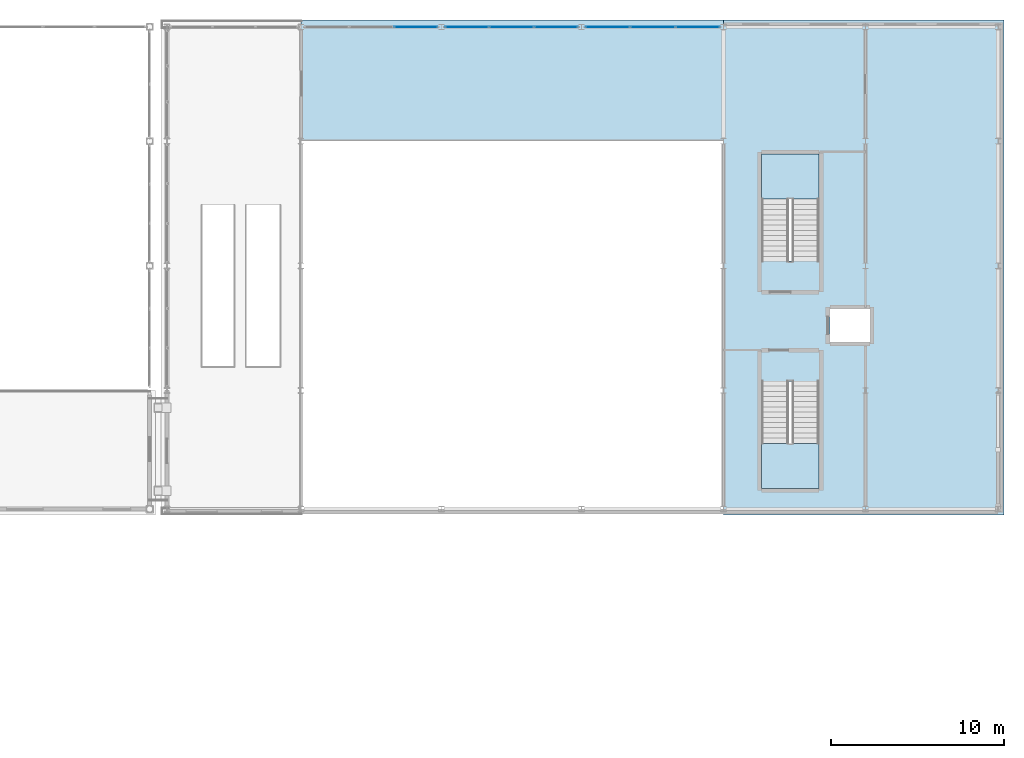
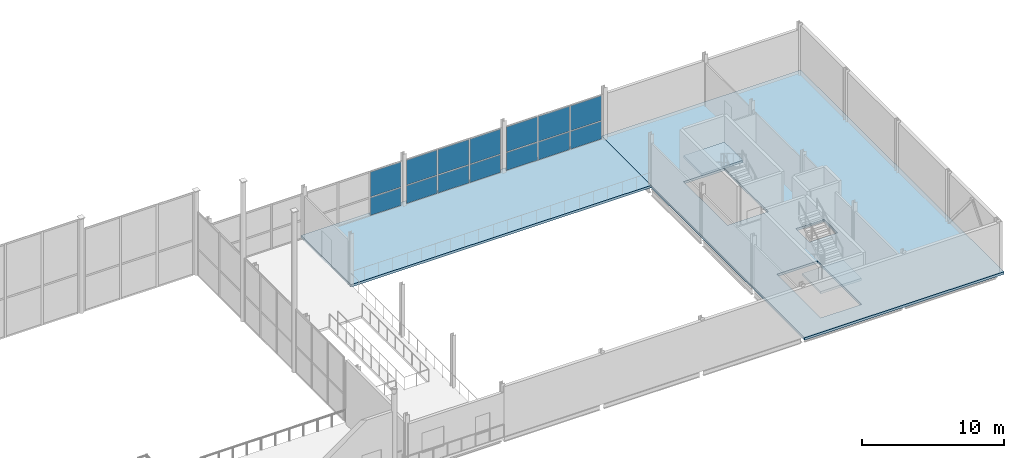
# One storey, part 58 of 77: 14 plates, 4 slabs, 5 elements without a shape of their own.
"""IFC4 building model written with IfcOpenShell, lengths in metres."""

from ifc_helpers import new_model, si_unit, direction, frame, origin, origin_2d, place, context, subcontext, project, spatial, polyline, rectangle, outline, extrude, material, layer, layer_set, type_object, element, aggregate, save


model = new_model("IFC4")

# Units and contexts
model_context = context("Model", 3, precision=1e-05, world=origin(), true_north=direction((0.0, 1.0)))
body_context = subcontext(model_context, "Body", "Model", "MODEL_VIEW")
ifc_project = project(units=[si_unit("LENGTHUNIT", "METRE"), si_unit("AREAUNIT", "SQUARE_METRE"), si_unit("VOLUMEUNIT", "CUBIC_METRE"), si_unit("PLANEANGLEUNIT", "RADIAN"), si_unit("MASSUNIT", "GRAM", prefix="KILO")], contexts=[model_context])

# Site, building, storey
site_placement = place(None, origin())
site = spatial("IfcSite", under=ifc_project, at=site_placement, CompositionType="ELEMENT")
building_placement = place(site_placement, origin())
building = spatial("IfcBuilding", under=site, at=building_placement, Name="Quillay Park Conservatory", CompositionType="ELEMENT")
storey_placement = place(building_placement, frame((0.0, 0.0, 5.39990234375)))
storey = spatial("IfcBuildingStorey", under=building, at=storey_placement, Name="L01", CompositionType="ELEMENT", Elevation=5.39990234375)

# Curtain wall, plates
ifc_material_1 = material(Name="Thermally Broken Anodised Aluminium 6063-T6", Category="aluminium")
ifc_layer_1 = layer(ifc_material_1, 0.1650390625)
ifc_layer_set_1 = layer_set([ifc_layer_1], Name="UNITISED CURTAIN WALL PODIUM (Thermally Broken Anodised Aluminium 6063-T6)")
curtain_wall_type = type_object("IfcCurtainWallType", Name="UNITISED CURTAIN WALL PODIUM", PredefinedType="USERDEFINED", material=ifc_layer_set_1)
curtain_wall_1_placement = place(storey_placement, origin())
curtain_wall_1 = element("IfcCurtainWall", 1, at=curtain_wall_1_placement, inside=storey, type_object=curtain_wall_type, Name="L01 Unitised Curtain Wall 220", ObjectType="UNITISED CURTAIN WALL", PredefinedType="USERDEFINED")
ifc_material_2 = material(Name="Low-E Double Glazing (Laminated Tempered)", Category="glass")
ifc_layer_2 = layer(ifc_material_2, 0.028076171875)
ifc_layer_set_2 = layer_set([ifc_layer_2], Name="CURTAIN WALL GLAZED PANEL 28 (Low-E Double Glazing (Laminated Tempered))")
plate_type = type_object("IfcPlateType", Name="CURTAIN WALL GLAZED PANEL 28", PredefinedType="CURTAIN_PANEL", material=ifc_layer_set_2)
plate_1_placement = place(storey_placement, frame((130.225830078125, 113.39990234375, 0.070068359375), z_axis=(0.0, 0.0, 1.0), x_axis=(1.0, 0.0, 0.0)))
plate_1 = element("IfcPlate", 2, at=plate_1_placement, type_object=plate_type, Name="CW-P1 panel 3.1", PredefinedType="CURTAIN_PANEL", context=body_context, shape_type="SweptSolid", body=[
    extrude(rectangle(XDim=2.48828125, YDim=0.028076171875, at=origin_2d()), origin(), (0.0, 0.0, 1.0), 1.52001953125),
])
plate_2_placement = place(storey_placement, frame((130.225830078125, 113.39990234375, 1.66015625), z_axis=(0.0, 0.0, 1.0), x_axis=(1.0, 0.0, 0.0)))
plate_2 = element("IfcPlate", 3, at=plate_2_placement, type_object=plate_type, Name="CW-P1 panel 3.2", PredefinedType="CURTAIN_PANEL", context=body_context, shape_type="SweptSolid", body=[
    extrude(rectangle(XDim=2.48828125, YDim=0.028076171875, at=origin_2d()), origin(), (0.0, 0.0, 1.0), 2.138916015625),
])
aggregate(curtain_wall_1, [plate_1, plate_2])

curtain_wall_2_placement = place(storey_placement, origin())
curtain_wall_2 = element("IfcCurtainWall", 4, at=curtain_wall_2_placement, inside=storey, type_object=curtain_wall_type, Name="L01 Unitised Curtain Wall 221", ObjectType="UNITISED CURTAIN WALL", PredefinedType="USERDEFINED")
plate_3_placement = place(storey_placement, frame((133.174072265625, 113.39990234375, 0.070068359375), z_axis=(0.0, 0.0, 1.0), x_axis=(1.0, 0.0, 0.0)))
plate_3 = element("IfcPlate", 5, at=plate_3_placement, type_object=plate_type, Name="CW-P1 panel 1.1", PredefinedType="CURTAIN_PANEL", context=body_context, shape_type="SweptSolid", body=[
    extrude(rectangle(XDim=2.48828125, YDim=0.028076171875, at=origin_2d()), origin(), (0.0, 0.0, 1.0), 1.52001953125),
])
plate_4_placement = place(storey_placement, frame((133.174072265625, 113.39990234375, 1.66015625), z_axis=(0.0, 0.0, 1.0), x_axis=(1.0, 0.0, 0.0)))
plate_4 = element("IfcPlate", 6, at=plate_4_placement, type_object=plate_type, Name="CW-P1 panel 1.2", PredefinedType="CURTAIN_PANEL", context=body_context, shape_type="SweptSolid", body=[
    extrude(rectangle(XDim=2.48828125, YDim=0.028076171875, at=origin_2d()), origin(), (0.0, 0.0, 1.0), 2.138916015625),
])
plate_5_placement = place(storey_placement, frame((135.75, 113.39990234375, 0.070068359375), z_axis=(0.0, 0.0, 1.0), x_axis=(1.0, 0.0, 0.0)))
plate_5 = element("IfcPlate", 7, at=plate_5_placement, type_object=plate_type, Name="CW-P1 panel 2.1", PredefinedType="CURTAIN_PANEL", context=body_context, shape_type="SweptSolid", body=[
    extrude(rectangle(XDim=2.5234375, YDim=0.028076171875, at=origin_2d()), origin(), (0.0, 0.0, 1.0), 1.52001953125),
])
plate_6_placement = place(storey_placement, frame((135.75, 113.39990234375, 1.66015625), z_axis=(0.0, 0.0, 1.0), x_axis=(1.0, 0.0, 0.0)))
plate_6 = element("IfcPlate", 8, at=plate_6_placement, type_object=plate_type, Name="CW-P1 panel 2.2", PredefinedType="CURTAIN_PANEL", context=body_context, shape_type="SweptSolid", body=[
    extrude(rectangle(XDim=2.5234375, YDim=0.028076171875, at=origin_2d()), origin(), (0.0, 0.0, 1.0), 2.138916015625),
])
plate_7_placement = place(storey_placement, frame((138.325927734375, 113.39990234375, 0.070068359375), z_axis=(0.0, 0.0, 1.0), x_axis=(1.0, 0.0, 0.0)))
plate_7 = element("IfcPlate", 9, at=plate_7_placement, type_object=plate_type, Name="CW-P1 panel 3.1", PredefinedType="CURTAIN_PANEL", context=body_context, shape_type="SweptSolid", body=[
    extrude(rectangle(XDim=2.48828125, YDim=0.028076171875, at=origin_2d()), origin(), (0.0, 0.0, 1.0), 1.52001953125),
])
plate_8_placement = place(storey_placement, frame((138.325927734375, 113.39990234375, 1.66015625), z_axis=(0.0, 0.0, 1.0), x_axis=(1.0, 0.0, 0.0)))
plate_8 = element("IfcPlate", 10, at=plate_8_placement, type_object=plate_type, Name="CW-P1 panel 3.2", PredefinedType="CURTAIN_PANEL", context=body_context, shape_type="SweptSolid", body=[
    extrude(rectangle(XDim=2.48828125, YDim=0.028076171875, at=origin_2d()), origin(), (0.0, 0.0, 1.0), 2.138916015625),
])
aggregate(curtain_wall_2, [plate_3, plate_4, plate_5, plate_6, plate_7, plate_8])

curtain_wall_3_placement = place(storey_placement, origin())
curtain_wall_3 = element("IfcCurtainWall", 11, at=curtain_wall_3_placement, inside=storey, type_object=curtain_wall_type, Name="L01 Unitised Curtain Wall 222", ObjectType="UNITISED CURTAIN WALL", PredefinedType="USERDEFINED")
plate_9_placement = place(storey_placement, frame((141.290771484375, 113.39990234375, 0.070068359375), z_axis=(0.0, 0.0, 1.0), x_axis=(1.0, 0.0, 0.0)))
plate_9 = element("IfcPlate", 12, at=plate_9_placement, type_object=plate_type, Name="CW-P1 panel 1.1", PredefinedType="CURTAIN_PANEL", context=body_context, shape_type="SweptSolid", body=[
    extrude(rectangle(XDim=2.521728515625, YDim=0.028076171875, at=origin_2d()), origin(), (0.0, 0.0, 1.0), 1.52001953125),
])
plate_10_placement = place(storey_placement, frame((141.290771484375, 113.39990234375, 1.66015625), z_axis=(0.0, 0.0, 1.0), x_axis=(1.0, 0.0, 0.0)))
plate_10 = element("IfcPlate", 13, at=plate_10_placement, type_object=plate_type, Name="CW-P1 panel 1.2", PredefinedType="CURTAIN_PANEL", context=body_context, shape_type="SweptSolid", body=[
    extrude(rectangle(XDim=2.521728515625, YDim=0.028076171875, at=origin_2d()), origin(), (0.0, 0.0, 1.0), 2.138916015625),
])
plate_11_placement = place(storey_placement, frame((143.89990234375, 113.39990234375, 0.070068359375), z_axis=(0.0, 0.0, 1.0), x_axis=(1.0, 0.0, 0.0)))
plate_11 = element("IfcPlate", 14, at=plate_11_placement, type_object=plate_type, Name="CW-P1 panel 2.1", PredefinedType="CURTAIN_PANEL", context=body_context, shape_type="SweptSolid", body=[
    extrude(rectangle(XDim=2.556640625, YDim=0.028076171875, at=origin_2d()), origin(), (0.0, 0.0, 1.0), 1.52001953125),
])
plate_12_placement = place(storey_placement, frame((143.89990234375, 113.39990234375, 1.66015625), z_axis=(0.0, 0.0, 1.0), x_axis=(1.0, 0.0, 0.0)))
plate_12 = element("IfcPlate", 15, at=plate_12_placement, type_object=plate_type, Name="CW-P1 panel 2.2", PredefinedType="CURTAIN_PANEL", context=body_context, shape_type="SweptSolid", body=[
    extrude(rectangle(XDim=2.556640625, YDim=0.028076171875, at=origin_2d()), origin(), (0.0, 0.0, 1.0), 2.138916015625),
])
plate_13_placement = place(storey_placement, frame((146.50927734375, 113.39990234375, 0.070068359375), z_axis=(0.0, 0.0, 1.0), x_axis=(1.0, 0.0, 0.0)))
plate_13 = element("IfcPlate", 16, at=plate_13_placement, type_object=plate_type, Name="CW-P1 panel 3.1", PredefinedType="CURTAIN_PANEL", context=body_context, shape_type="SweptSolid", body=[
    extrude(rectangle(XDim=2.521728515625, YDim=0.028076171875, at=origin_2d()), origin(), (0.0, 0.0, 1.0), 1.52001953125),
])
plate_14_placement = place(storey_placement, frame((146.50927734375, 113.39990234375, 1.66015625), z_axis=(0.0, 0.0, 1.0), x_axis=(1.0, 0.0, 0.0)))
plate_14 = element("IfcPlate", 17, at=plate_14_placement, type_object=plate_type, Name="CW-P1 panel 3.2", PredefinedType="CURTAIN_PANEL", context=body_context, shape_type="SweptSolid", body=[
    extrude(rectangle(XDim=2.521728515625, YDim=0.028076171875, at=origin_2d()), origin(), (0.0, 0.0, 1.0), 2.138916015625),
])
aggregate(curtain_wall_3, [plate_9, plate_10, plate_11, plate_12, plate_13, plate_14])

# Stair, slab
ifc_material_3 = material(Name="Concrete C35/45 (NCh170 Concrete C35/45)", Category="concrete")
stair_type = type_object("IfcStairType", Name="ENCLOSED DOG LEG STAIR 4500", PredefinedType="HALF_TURN_STAIR", material=ifc_material_3)
stair_1_placement = place(storey_placement, origin())
stair_1 = element("IfcStair", 18, at=stair_1_placement, inside=storey, type_object=stair_type, Name="L01 Auditorium Exit Stair 1", PredefinedType="HALF_TURN_STAIR")
ifc_material_4 = material(Name="Concrete C35/45 (NCh170 Concrete C35/45)", Category="concrete")
ifc_layer_3 = layer(ifc_material_4, 0.199951171875)
ifc_layer_set_3 = layer_set([ifc_layer_3], Name="STAIR LANDING SLAB 200 (Concrete C35/45 (NCh170 Concrete C35/45))")
slab_type_1 = type_object("IfcSlabType", Name="STAIR LANDING SLAB 200", PredefinedType="LANDING", material=ifc_layer_set_3)
slab_1_placement = place(storey_placement, frame((0.0, 0.0, 2.050048828125)))
slab_1 = element("IfcSlab", 19, at=slab_1_placement, type_object=slab_type_1, Name="ST-A1 landing 1", PredefinedType="LANDING", context=body_context, shape_type="SweptSolid", body=[
    extrude(outline(polyline([(150.199951171875, 89.35009765625), (150.199951171875, 86.75), (153.52001953125, 86.75), (153.52001953125, 89.35009765625), (150.199951171875, 89.35009765625)])), origin(), (0.0, 0.0, 1.0), 0.199951171875),
])
aggregate(stair_1, [slab_1])

stair_2_placement = place(storey_placement, origin())
stair_2 = element("IfcStair", 20, at=stair_2_placement, inside=storey, type_object=stair_type, Name="L01 Auditorium Exit Stair 2", PredefinedType="HALF_TURN_STAIR")
slab_2_placement = place(storey_placement, frame((0.0, 0.0, 2.050048828125)))
slab_2 = element("IfcSlab", 21, at=slab_2_placement, type_object=slab_type_1, Name="ST-A2 landing 1", PredefinedType="LANDING", context=body_context, shape_type="SweptSolid", body=[
    extrude(outline(polyline([(153.52001953125, 103.449951171875), (153.52001953125, 106.050048828125), (150.199951171875, 106.050048828125), (150.199951171875, 103.449951171875), (153.52001953125, 103.449951171875)])), origin(), (0.0, 0.0, 1.0), 0.199951171875),
])
aggregate(stair_2, [slab_2])

# Slabs
ifc_material_5 = material(Name="Concrete C35/45 (NCh170 Concrete C35/45)", Category="concrete")
ifc_layer_4 = layer(ifc_material_5, 0.2099609375)
ifc_layer_set_4 = layer_set([ifc_layer_4], Name="SUSPENDED FLOOR SLAB 210 (Concrete C35/45 (NCh170 Concrete C35/45))")
slab_type_2 = type_object("IfcSlabType", Name="SUSPENDED FLOOR SLAB 210", PredefinedType="FLOOR", material=ifc_layer_set_4)
slab_3_placement = place(storey_placement, frame((0.0, 0.0, -0.2099609375)))
element("IfcSlab", 22, at=slab_3_placement, inside=storey, type_object=slab_type_2, Name="L01 Auditorium North Egress Gallery Slab", PredefinedType="FLOOR", context=body_context, shape_type="SweptSolid", body=[
    extrude(outline(polyline([(123.60009765625, 106.800048828125), (148.0, 106.800048828125), (148.0, 113.800048828125), (123.60009765625, 113.800048828125), (123.60009765625, 106.800048828125)])), origin(), (0.0, 0.0, 1.0), 0.2099609375),
])
slab_4_placement = place(storey_placement, frame((0.0, 0.0, -0.2099609375)))
element("IfcSlab", 23, at=slab_4_placement, inside=storey, type_object=slab_type_2, Name="L01 Auditorium Seminar and Core Slab", PredefinedType="FLOOR", context=body_context, shape_type="SweptSolid", body=[
    extrude(outline(polyline([(148.0, 85.199951171875), (164.199951171875, 85.199951171875), (164.199951171875, 113.800048828125), (148.0, 113.800048828125), (148.0, 85.199951171875)]), holes=[polyline([(150.199951171875, 86.75), (153.52001953125, 86.75), (153.52001953125, 92.919921875), (150.199951171875, 92.919921875), (150.199951171875, 86.75)]), polyline([(150.199951171875, 99.8798828125), (153.52001953125, 99.8798828125), (153.52001953125, 106.050048828125), (150.199951171875, 106.050048828125), (150.199951171875, 99.8798828125)]), polyline([(154.14990234375, 95.199951171875), (156.449951171875, 95.199951171875), (156.449951171875, 97.10009765625), (154.14990234375, 97.10009765625), (154.14990234375, 95.199951171875)])]), origin(), (0.0, 0.0, 1.0), 0.2099609375),
])

save(model, "model.ifc")
